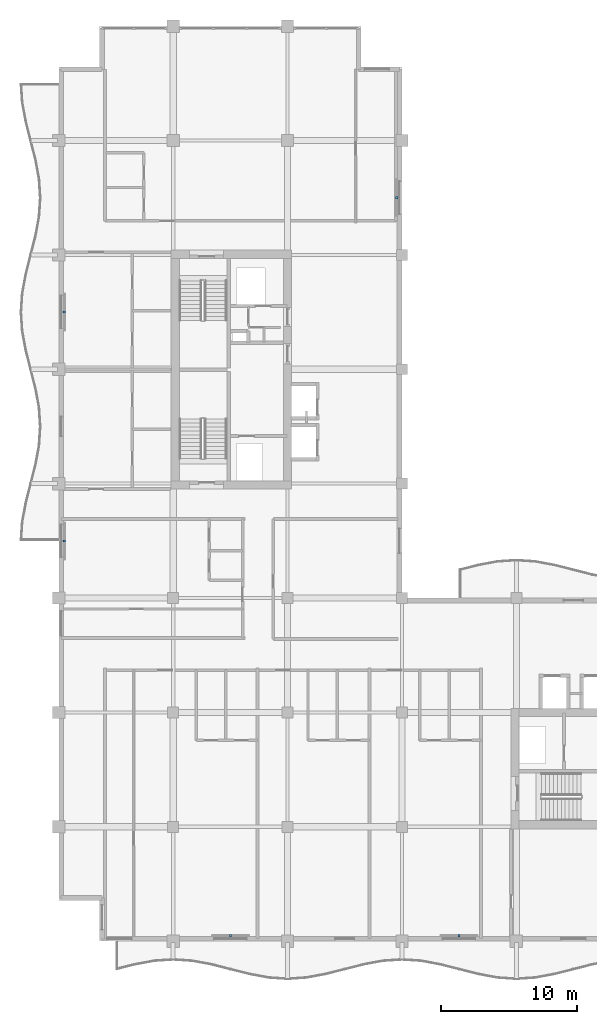
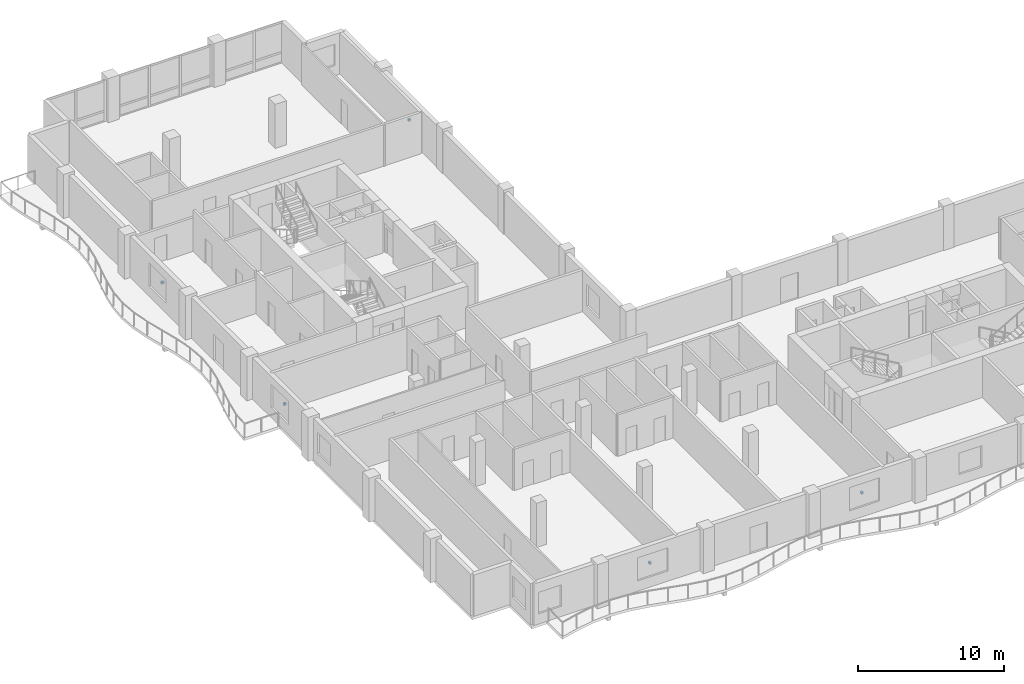
# One storey, part 12 of 16: 5 discrete accessories.
"""IFC4 building model written with IfcOpenShell, lengths in metres."""

from ifc_helpers import new_model, si_unit, direction, frame, origin, origin_2d, place, context, subcontext, project, spatial, rectangle, extrude, material, type_object, element, save


model = new_model("IFC4")

# Units and contexts
model_context = context("Model", 3, precision=1e-05, world=origin(), true_north=direction((0.0, 1.0)))
body_context = subcontext(model_context, "Body", "Model", "MODEL_VIEW")
ifc_project = project(units=[si_unit("LENGTHUNIT", "METRE"), si_unit("AREAUNIT", "SQUARE_METRE"), si_unit("VOLUMEUNIT", "CUBIC_METRE"), si_unit("PLANEANGLEUNIT", "RADIAN"), si_unit("MASSUNIT", "GRAM", prefix="KILO")], contexts=[model_context])

# Site, building, storey
site_placement = place(None, origin())
site = spatial("IfcSite", under=ifc_project, at=site_placement, CompositionType="ELEMENT")
building_placement = place(site_placement, origin())
building = spatial("IfcBuilding", under=site, at=building_placement, Name="Koriwani Terraces Tower", CompositionType="ELEMENT")
storey_placement = place(building_placement, frame((0.0, 0.0, 252.699951171875)))
storey = spatial("IfcBuildingStorey", under=building, at=storey_placement, Name="L62", CompositionType="ELEMENT", Elevation=252.699951171875)

# Discrete accessories
ifc_material = material(Name="Steel ASTM A572 Grade 50", Category="steel")
discrete_accessory_type = type_object("IfcDiscreteAccessoryType", Name="BAGUETTE_STANDOFF_BRACKET", PredefinedType="BRACKET", material=ifc_material)
for number, where, z_axis, x_axis, name in (
    (1, (8.7900390625, 37.800048828125, 1.64501953125), (0.0, 0.0, 1.0), (0.0, 1.0, 0.0), "L62 Terracotta Baguette Bracket (W-9)"),
    (2, (8.7900390625, 54.60009765625, 1.64501953125), (0.0, 0.0, 1.0), (0.0, 1.0, 0.0), "L62 Terracotta Baguette Bracket (W-15)"),
    (3, (33.2099609375, 63.0, 1.64501953125), (0.0, 0.0, 1.0), (0.0, -1.0, 0.0), "L62 Terracotta Baguette Bracket (NW_IN-11)"),
    (4, (21.0, 8.7900390625, 1.64501953125), (0.0, 0.0, 1.0), (-1.0, 0.0, 0.0), "L62 Terracotta Baguette Bracket (S-3)"),
    (5, (37.800048828125, 8.7900390625, 1.64501953125), (0.0, 0.0, 1.0), (-1.0, 0.0, 0.0), "L62 Terracotta Baguette Bracket (S-9)"),
):
    element("IfcDiscreteAccessory", number, at=place(storey_placement, frame(where, z_axis=z_axis, x_axis=x_axis)), inside=storey, type_object=discrete_accessory_type, Name=name, PredefinedType="BRACKET", context=body_context, shape_type="SweptSolid", body=[
        extrude(rectangle(XDim=0.159912109375, YDim=0.199951171875, at=origin_2d()), origin(), (0.0, 0.0, 1.0), 0.179931640625),
    ])

save(model, "model.ifc")
